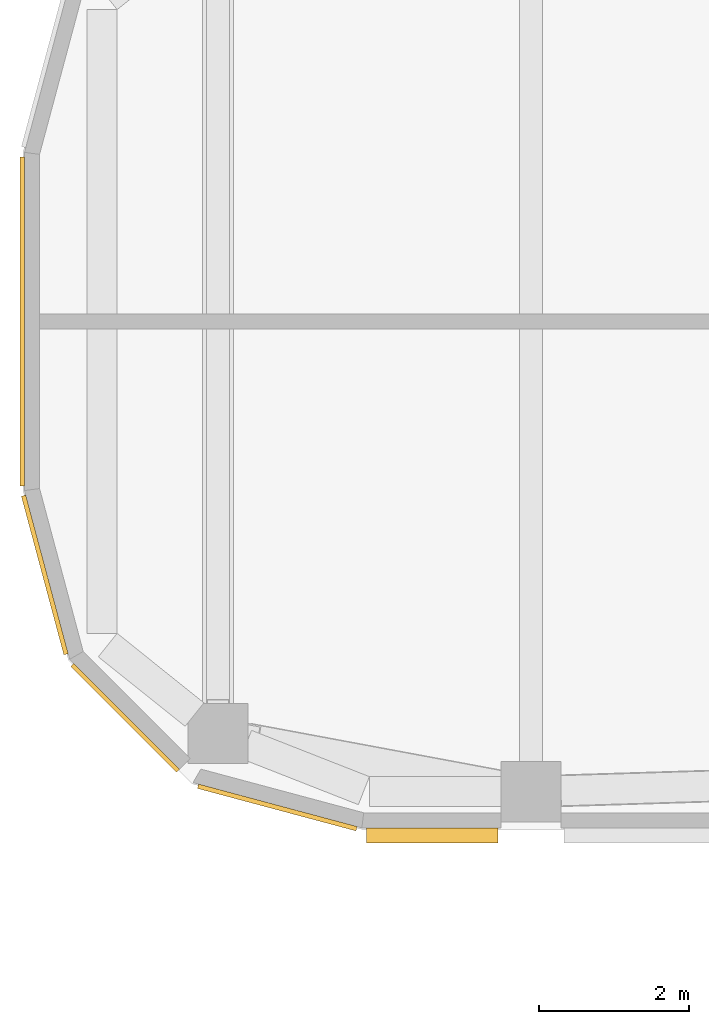
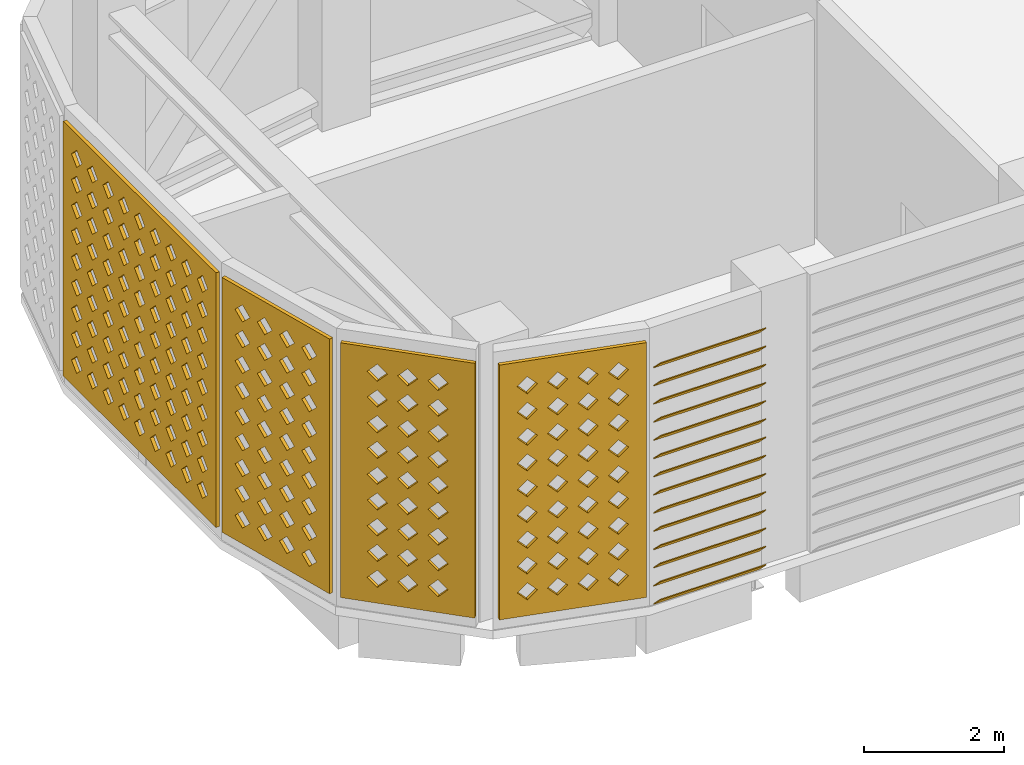
# One storey, part 11 of 21: 4 coverings, 1 shading device.
"""IFC4 building model written with IfcOpenShell, lengths in metres."""

from ifc_helpers import new_model, si_unit, direction, frame, origin, place, context, subcontext, project, spatial, polyline, outline, extrude, source, transform, mapped, material, layer, layer_set, type_object, element, save


model = new_model("IFC4")

# Units and contexts
model_context = context("Model", 3, precision=1e-05, world=origin(), true_north=direction((0.0, 1.0)))
body_context = subcontext(model_context, "Body", "Model", "MODEL_VIEW")
ifc_project = project(units=[si_unit("LENGTHUNIT", "METRE"), si_unit("AREAUNIT", "SQUARE_METRE"), si_unit("VOLUMEUNIT", "CUBIC_METRE"), si_unit("PLANEANGLEUNIT", "RADIAN"), si_unit("MASSUNIT", "GRAM", prefix="KILO")], contexts=[model_context])

# Site, building, storey
site_placement = place(None, origin())
site = spatial("IfcSite", under=ifc_project, at=site_placement, CompositionType="ELEMENT")
building_placement = place(site_placement, origin())
building = spatial("IfcBuilding", under=site, at=building_placement, Name="Zarbagh Exchange Tower", CompositionType="ELEMENT")
storey_placement = place(building_placement, frame((0.0, 0.0, 190.39990234375)))
storey = spatial("IfcBuildingStorey", under=building, at=storey_placement, Name="L46", CompositionType="ELEMENT", Elevation=190.39990234375)

# Coverings
ifc_material_1 = material(Name="Glass-fibre reinforced concrete GFRC C50/60", Category="concrete")
ifc_layer = layer(ifc_material_1, 0.06005859375)
ifc_layer_set = layer_set([ifc_layer], Name="SCREEN jali panel, GFRC")
covering_type = type_object("IfcCoveringType", Name="SCREEN jali panel, GFRC", PredefinedType="CLADDING", material=ifc_layer_set)
shared_shape_1 = source(origin(), body_context, "Body", "SweptSolid", [
    extrude(outline(polyline([(0.0, 0.0), (2.181396484375, 0.0), (2.181396484375, 4.449951171875), (0.0, 4.449951171875), (0.0, 0.0)]), holes=[polyline([(0.265625, 0.425048828125), (0.415771484375, 0.27490234375), (0.565673828125, 0.425048828125), (0.415771484375, 0.574951171875), (0.265625, 0.425048828125)]), polyline([(0.265625, 0.875), (0.415771484375, 0.72509765625), (0.565673828125, 0.875), (0.415771484375, 1.02490234375), (0.265625, 0.875)]), polyline([(0.265625, 1.324951171875), (0.415771484375, 1.175048828125), (0.565673828125, 1.324951171875), (0.415771484375, 1.47509765625), (0.265625, 1.324951171875)]), polyline([(0.265625, 1.77490234375), (0.415771484375, 1.625), (0.565673828125, 1.77490234375), (0.415771484375, 1.925048828125), (0.265625, 1.77490234375)]), polyline([(0.265625, 2.22509765625), (0.415771484375, 2.074951171875), (0.565673828125, 2.22509765625), (0.415771484375, 2.375), (0.265625, 2.22509765625)]), polyline([(0.265625, 2.675048828125), (0.415771484375, 2.52490234375), (0.565673828125, 2.675048828125), (0.415771484375, 2.824951171875), (0.265625, 2.675048828125)]), polyline([(0.265625, 3.125), (0.415771484375, 2.97509765625), (0.565673828125, 3.125), (0.415771484375, 3.27490234375), (0.265625, 3.125)]), polyline([(0.265625, 3.574951171875), (0.415771484375, 3.425048828125), (0.565673828125, 3.574951171875), (0.415771484375, 3.72509765625), (0.265625, 3.574951171875)]), polyline([(0.265625, 4.02490234375), (0.415771484375, 3.875), (0.565673828125, 4.02490234375), (0.415771484375, 4.175048828125), (0.265625, 4.02490234375)]), polyline([(0.7158203125, 0.425048828125), (0.86572265625, 0.27490234375), (1.015625, 0.425048828125), (0.86572265625, 0.574951171875), (0.7158203125, 0.425048828125)]), polyline([(0.7158203125, 0.875), (0.86572265625, 0.72509765625), (1.015625, 0.875), (0.86572265625, 1.02490234375), (0.7158203125, 0.875)]), polyline([(0.7158203125, 1.324951171875), (0.86572265625, 1.175048828125), (1.015625, 1.324951171875), (0.86572265625, 1.47509765625), (0.7158203125, 1.324951171875)]), polyline([(0.7158203125, 1.77490234375), (0.86572265625, 1.625), (1.015625, 1.77490234375), (0.86572265625, 1.925048828125), (0.7158203125, 1.77490234375)]), polyline([(0.7158203125, 2.22509765625), (0.86572265625, 2.074951171875), (1.015625, 2.22509765625), (0.86572265625, 2.375), (0.7158203125, 2.22509765625)]), polyline([(0.7158203125, 2.675048828125), (0.86572265625, 2.52490234375), (1.015625, 2.675048828125), (0.86572265625, 2.824951171875), (0.7158203125, 2.675048828125)]), polyline([(0.7158203125, 3.125), (0.86572265625, 2.97509765625), (1.015625, 3.125), (0.86572265625, 3.27490234375), (0.7158203125, 3.125)]), polyline([(0.7158203125, 3.574951171875), (0.86572265625, 3.425048828125), (1.015625, 3.574951171875), (0.86572265625, 3.72509765625), (0.7158203125, 3.574951171875)]), polyline([(0.7158203125, 4.02490234375), (0.86572265625, 3.875), (1.015625, 4.02490234375), (0.86572265625, 4.175048828125), (0.7158203125, 4.02490234375)]), polyline([(1.165771484375, 0.425048828125), (1.315673828125, 0.27490234375), (1.4658203125, 0.425048828125), (1.315673828125, 0.574951171875), (1.165771484375, 0.425048828125)]), polyline([(1.165771484375, 0.875), (1.315673828125, 0.72509765625), (1.4658203125, 0.875), (1.315673828125, 1.02490234375), (1.165771484375, 0.875)]), polyline([(1.165771484375, 1.324951171875), (1.315673828125, 1.175048828125), (1.4658203125, 1.324951171875), (1.315673828125, 1.47509765625), (1.165771484375, 1.324951171875)]), polyline([(1.165771484375, 1.77490234375), (1.315673828125, 1.625), (1.4658203125, 1.77490234375), (1.315673828125, 1.925048828125), (1.165771484375, 1.77490234375)]), polyline([(1.165771484375, 2.22509765625), (1.315673828125, 2.074951171875), (1.4658203125, 2.22509765625), (1.315673828125, 2.375), (1.165771484375, 2.22509765625)]), polyline([(1.165771484375, 2.675048828125), (1.315673828125, 2.52490234375), (1.4658203125, 2.675048828125), (1.315673828125, 2.824951171875), (1.165771484375, 2.675048828125)]), polyline([(1.165771484375, 3.125), (1.315673828125, 2.97509765625), (1.4658203125, 3.125), (1.315673828125, 3.27490234375), (1.165771484375, 3.125)]), polyline([(1.165771484375, 3.574951171875), (1.315673828125, 3.425048828125), (1.4658203125, 3.574951171875), (1.315673828125, 3.72509765625), (1.165771484375, 3.574951171875)]), polyline([(1.165771484375, 4.02490234375), (1.315673828125, 3.875), (1.4658203125, 4.02490234375), (1.315673828125, 4.175048828125), (1.165771484375, 4.02490234375)]), polyline([(1.61572265625, 0.425048828125), (1.765625, 0.27490234375), (1.915771484375, 0.425048828125), (1.765625, 0.574951171875), (1.61572265625, 0.425048828125)]), polyline([(1.61572265625, 0.875), (1.765625, 0.72509765625), (1.915771484375, 0.875), (1.765625, 1.02490234375), (1.61572265625, 0.875)]), polyline([(1.61572265625, 1.324951171875), (1.765625, 1.175048828125), (1.915771484375, 1.324951171875), (1.765625, 1.47509765625), (1.61572265625, 1.324951171875)]), polyline([(1.61572265625, 1.77490234375), (1.765625, 1.625), (1.915771484375, 1.77490234375), (1.765625, 1.925048828125), (1.61572265625, 1.77490234375)]), polyline([(1.61572265625, 2.22509765625), (1.765625, 2.074951171875), (1.915771484375, 2.22509765625), (1.765625, 2.375), (1.61572265625, 2.22509765625)]), polyline([(1.61572265625, 2.675048828125), (1.765625, 2.52490234375), (1.915771484375, 2.675048828125), (1.765625, 2.824951171875), (1.61572265625, 2.675048828125)]), polyline([(1.61572265625, 3.125), (1.765625, 2.97509765625), (1.915771484375, 3.125), (1.765625, 3.27490234375), (1.61572265625, 3.125)]), polyline([(1.61572265625, 3.574951171875), (1.765625, 3.425048828125), (1.915771484375, 3.574951171875), (1.765625, 3.72509765625), (1.61572265625, 3.574951171875)]), polyline([(1.61572265625, 4.02490234375), (1.765625, 3.875), (1.915771484375, 4.02490234375), (1.765625, 4.175048828125), (1.61572265625, 4.02490234375)])]), origin(), (0.0, 0.0, 1.0), 0.06005859375),
])
placement = place(storey_placement, origin())
element("IfcCovering", 1, at=placement, inside=storey, type_object=covering_type, Name="JS62 jali screen", PredefinedType="CLADDING", context=body_context, shape_type="MappedRepresentation", body=[
    mapped(shared_shape_1, transform((-31.463623046875, -2.308349609375, 0.2001953125), x_axis=(0.258825057666, -0.965924215207, 0.0), y_axis=(0.0, 0.0, 1.0), z_axis=(-0.965924215207, -0.258825057666, 0.0))),
])
element("IfcCovering", 2, at=placement, inside=storey, type_object=covering_type, Name="JS64 jali screen", PredefinedType="CLADDING", context=body_context, shape_type="MappedRepresentation", body=[
    mapped(shared_shape_1, transform((-29.16552734375, -6.14892578125, 0.2001953125), x_axis=(0.965924215207, -0.258825057666, 0.0), y_axis=(0.0, 0.0, 1.0), z_axis=(-0.258825057666, -0.965924215207, 0.0))),
])

# Shading device
ifc_material_2 = material(Name="Anodised aluminium", Category="aluminium")
shading_device_type = type_object("IfcShadingDeviceType", Name="LOUVRE plant louvre, fixed blades", PredefinedType="USERDEFINED", material=ifc_material_2)
shared_shape_2 = source(origin(), body_context, "Body", "SweptSolid", [
    extrude(outline(polyline([(0.0, 0.199951171875), (0.199951171875, 0.0), (0.199951171875, -0.02001953125), (0.0, 0.179931640625), (0.0, 0.199951171875)])), origin(), (0.0, 0.0, 1.0), 1.744140625),
])
element("IfcShadingDevice", 3, at=placement, inside=storey, type_object=shading_device_type, Name="LV15 plant louvre", ObjectType="LOUVRE", PredefinedType="USERDEFINED", context=body_context, shape_type="MappedRepresentation", body=[
    mapped(shared_shape_2, transform((-26.93408203125, -6.72998046875, 0.2001953125), x_axis=(0.0, -1.0, 0.0), y_axis=(0.0, 0.0, -1.0), z_axis=(1.0, 0.0, 0.0))),
    mapped(shared_shape_2, transform((-26.93408203125, -6.72998046875, 0.51806640625), x_axis=(0.0, -1.0, 0.0), y_axis=(0.0, 0.0, -1.0), z_axis=(1.0, 0.0, 0.0))),
    mapped(shared_shape_2, transform((-26.93408203125, -6.72998046875, 0.835693359375), x_axis=(0.0, -1.0, 0.0), y_axis=(0.0, 0.0, -1.0), z_axis=(1.0, 0.0, 0.0))),
    mapped(shared_shape_2, transform((-26.93408203125, -6.72998046875, 1.153564453125), x_axis=(0.0, -1.0, 0.0), y_axis=(0.0, 0.0, -1.0), z_axis=(1.0, 0.0, 0.0))),
    mapped(shared_shape_2, transform((-26.93408203125, -6.72998046875, 1.471435546875), x_axis=(0.0, -1.0, 0.0), y_axis=(0.0, 0.0, -1.0), z_axis=(1.0, 0.0, 0.0))),
    mapped(shared_shape_2, transform((-26.93408203125, -6.72998046875, 1.789306640625), x_axis=(0.0, -1.0, 0.0), y_axis=(0.0, 0.0, -1.0), z_axis=(1.0, 0.0, 0.0))),
    mapped(shared_shape_2, transform((-26.93408203125, -6.72998046875, 2.107177734375), x_axis=(0.0, -1.0, 0.0), y_axis=(0.0, 0.0, -1.0), z_axis=(1.0, 0.0, 0.0))),
    mapped(shared_shape_2, transform((-26.93408203125, -6.72998046875, 2.425048828125), x_axis=(0.0, -1.0, 0.0), y_axis=(0.0, 0.0, -1.0), z_axis=(1.0, 0.0, 0.0))),
    mapped(shared_shape_2, transform((-26.93408203125, -6.72998046875, 2.742919921875), x_axis=(0.0, -1.0, 0.0), y_axis=(0.0, 0.0, -1.0), z_axis=(1.0, 0.0, 0.0))),
    mapped(shared_shape_2, transform((-26.93408203125, -6.72998046875, 3.060791015625), x_axis=(0.0, -1.0, 0.0), y_axis=(0.0, 0.0, -1.0), z_axis=(1.0, 0.0, 0.0))),
    mapped(shared_shape_2, transform((-26.93408203125, -6.72998046875, 3.378662109375), x_axis=(0.0, -1.0, 0.0), y_axis=(0.0, 0.0, -1.0), z_axis=(1.0, 0.0, 0.0))),
    mapped(shared_shape_2, transform((-26.93408203125, -6.72998046875, 3.696533203125), x_axis=(0.0, -1.0, 0.0), y_axis=(0.0, 0.0, -1.0), z_axis=(1.0, 0.0, 0.0))),
    mapped(shared_shape_2, transform((-26.93408203125, -6.72998046875, 4.014404296875), x_axis=(0.0, -1.0, 0.0), y_axis=(0.0, 0.0, -1.0), z_axis=(1.0, 0.0, 0.0))),
    mapped(shared_shape_2, transform((-26.93408203125, -6.72998046875, 4.332275390625), x_axis=(0.0, -1.0, 0.0), y_axis=(0.0, 0.0, -1.0), z_axis=(1.0, 0.0, 0.0))),
])

# Coverings
shared_shape_3 = source(origin(), body_context, "Body", "SweptSolid", [
    extrude(outline(polyline([(0.0, 0.0), (4.368408203125, 0.0), (4.368408203125, 4.449951171875), (0.0, 4.449951171875), (0.0, 0.0)]), holes=[polyline([(0.234130859375, 0.425048828125), (0.38427734375, 0.27490234375), (0.5341796875, 0.425048828125), (0.38427734375, 0.574951171875), (0.234130859375, 0.425048828125)]), polyline([(0.234130859375, 0.875), (0.38427734375, 0.72509765625), (0.5341796875, 0.875), (0.38427734375, 1.02490234375), (0.234130859375, 0.875)]), polyline([(0.234130859375, 1.324951171875), (0.38427734375, 1.175048828125), (0.5341796875, 1.324951171875), (0.38427734375, 1.47509765625), (0.234130859375, 1.324951171875)]), polyline([(0.234130859375, 1.77490234375), (0.38427734375, 1.625), (0.5341796875, 1.77490234375), (0.38427734375, 1.925048828125), (0.234130859375, 1.77490234375)]), polyline([(0.234130859375, 2.22509765625), (0.38427734375, 2.074951171875), (0.5341796875, 2.22509765625), (0.38427734375, 2.375), (0.234130859375, 2.22509765625)]), polyline([(0.234130859375, 2.675048828125), (0.38427734375, 2.52490234375), (0.5341796875, 2.675048828125), (0.38427734375, 2.824951171875), (0.234130859375, 2.675048828125)]), polyline([(0.234130859375, 3.125), (0.38427734375, 2.97509765625), (0.5341796875, 3.125), (0.38427734375, 3.27490234375), (0.234130859375, 3.125)]), polyline([(0.234130859375, 3.574951171875), (0.38427734375, 3.425048828125), (0.5341796875, 3.574951171875), (0.38427734375, 3.72509765625), (0.234130859375, 3.574951171875)]), polyline([(0.234130859375, 4.02490234375), (0.38427734375, 3.875), (0.5341796875, 4.02490234375), (0.38427734375, 4.175048828125), (0.234130859375, 4.02490234375)]), polyline([(0.68408203125, 0.425048828125), (0.834228515625, 0.27490234375), (0.984130859375, 0.425048828125), (0.834228515625, 0.574951171875), (0.68408203125, 0.425048828125)]), polyline([(0.68408203125, 0.875), (0.834228515625, 0.72509765625), (0.984130859375, 0.875), (0.834228515625, 1.02490234375), (0.68408203125, 0.875)]), polyline([(0.68408203125, 1.324951171875), (0.834228515625, 1.175048828125), (0.984130859375, 1.324951171875), (0.834228515625, 1.47509765625), (0.68408203125, 1.324951171875)]), polyline([(0.68408203125, 1.77490234375), (0.834228515625, 1.625), (0.984130859375, 1.77490234375), (0.834228515625, 1.925048828125), (0.68408203125, 1.77490234375)]), polyline([(0.68408203125, 2.22509765625), (0.834228515625, 2.074951171875), (0.984130859375, 2.22509765625), (0.834228515625, 2.375), (0.68408203125, 2.22509765625)]), polyline([(0.68408203125, 2.675048828125), (0.834228515625, 2.52490234375), (0.984130859375, 2.675048828125), (0.834228515625, 2.824951171875), (0.68408203125, 2.675048828125)]), polyline([(0.68408203125, 3.125), (0.834228515625, 2.97509765625), (0.984130859375, 3.125), (0.834228515625, 3.27490234375), (0.68408203125, 3.125)]), polyline([(0.68408203125, 3.574951171875), (0.834228515625, 3.425048828125), (0.984130859375, 3.574951171875), (0.834228515625, 3.72509765625), (0.68408203125, 3.574951171875)]), polyline([(0.68408203125, 4.02490234375), (0.834228515625, 3.875), (0.984130859375, 4.02490234375), (0.834228515625, 4.175048828125), (0.68408203125, 4.02490234375)]), polyline([(1.13427734375, 0.425048828125), (1.2841796875, 0.27490234375), (1.43408203125, 0.425048828125), (1.2841796875, 0.574951171875), (1.13427734375, 0.425048828125)]), polyline([(1.13427734375, 0.875), (1.2841796875, 0.72509765625), (1.43408203125, 0.875), (1.2841796875, 1.02490234375), (1.13427734375, 0.875)]), polyline([(1.13427734375, 1.324951171875), (1.2841796875, 1.175048828125), (1.43408203125, 1.324951171875), (1.2841796875, 1.47509765625), (1.13427734375, 1.324951171875)]), polyline([(1.13427734375, 1.77490234375), (1.2841796875, 1.625), (1.43408203125, 1.77490234375), (1.2841796875, 1.925048828125), (1.13427734375, 1.77490234375)]), polyline([(1.13427734375, 2.22509765625), (1.2841796875, 2.074951171875), (1.43408203125, 2.22509765625), (1.2841796875, 2.375), (1.13427734375, 2.22509765625)]), polyline([(1.13427734375, 2.675048828125), (1.2841796875, 2.52490234375), (1.43408203125, 2.675048828125), (1.2841796875, 2.824951171875), (1.13427734375, 2.675048828125)]), polyline([(1.13427734375, 3.125), (1.2841796875, 2.97509765625), (1.43408203125, 3.125), (1.2841796875, 3.27490234375), (1.13427734375, 3.125)]), polyline([(1.13427734375, 3.574951171875), (1.2841796875, 3.425048828125), (1.43408203125, 3.574951171875), (1.2841796875, 3.72509765625), (1.13427734375, 3.574951171875)]), polyline([(1.13427734375, 4.02490234375), (1.2841796875, 3.875), (1.43408203125, 4.02490234375), (1.2841796875, 4.175048828125), (1.13427734375, 4.02490234375)]), polyline([(1.584228515625, 0.425048828125), (1.734130859375, 0.27490234375), (1.88427734375, 0.425048828125), (1.734130859375, 0.574951171875), (1.584228515625, 0.425048828125)]), polyline([(1.584228515625, 0.875), (1.734130859375, 0.72509765625), (1.88427734375, 0.875), (1.734130859375, 1.02490234375), (1.584228515625, 0.875)]), polyline([(1.584228515625, 1.324951171875), (1.734130859375, 1.175048828125), (1.88427734375, 1.324951171875), (1.734130859375, 1.47509765625), (1.584228515625, 1.324951171875)]), polyline([(1.584228515625, 1.77490234375), (1.734130859375, 1.625), (1.88427734375, 1.77490234375), (1.734130859375, 1.925048828125), (1.584228515625, 1.77490234375)]), polyline([(1.584228515625, 2.22509765625), (1.734130859375, 2.074951171875), (1.88427734375, 2.22509765625), (1.734130859375, 2.375), (1.584228515625, 2.22509765625)]), polyline([(1.584228515625, 2.675048828125), (1.734130859375, 2.52490234375), (1.88427734375, 2.675048828125), (1.734130859375, 2.824951171875), (1.584228515625, 2.675048828125)]), polyline([(1.584228515625, 3.125), (1.734130859375, 2.97509765625), (1.88427734375, 3.125), (1.734130859375, 3.27490234375), (1.584228515625, 3.125)]), polyline([(1.584228515625, 3.574951171875), (1.734130859375, 3.425048828125), (1.88427734375, 3.574951171875), (1.734130859375, 3.72509765625), (1.584228515625, 3.574951171875)]), polyline([(1.584228515625, 4.02490234375), (1.734130859375, 3.875), (1.88427734375, 4.02490234375), (1.734130859375, 4.175048828125), (1.584228515625, 4.02490234375)]), polyline([(2.0341796875, 0.425048828125), (2.18408203125, 0.27490234375), (2.334228515625, 0.425048828125), (2.18408203125, 0.574951171875), (2.0341796875, 0.425048828125)]), polyline([(2.0341796875, 0.875), (2.18408203125, 0.72509765625), (2.334228515625, 0.875), (2.18408203125, 1.02490234375), (2.0341796875, 0.875)]), polyline([(2.0341796875, 1.324951171875), (2.18408203125, 1.175048828125), (2.334228515625, 1.324951171875), (2.18408203125, 1.47509765625), (2.0341796875, 1.324951171875)]), polyline([(2.0341796875, 1.77490234375), (2.18408203125, 1.625), (2.334228515625, 1.77490234375), (2.18408203125, 1.925048828125), (2.0341796875, 1.77490234375)]), polyline([(2.0341796875, 2.22509765625), (2.18408203125, 2.074951171875), (2.334228515625, 2.22509765625), (2.18408203125, 2.375), (2.0341796875, 2.22509765625)]), polyline([(2.0341796875, 2.675048828125), (2.18408203125, 2.52490234375), (2.334228515625, 2.675048828125), (2.18408203125, 2.824951171875), (2.0341796875, 2.675048828125)]), polyline([(2.0341796875, 3.125), (2.18408203125, 2.97509765625), (2.334228515625, 3.125), (2.18408203125, 3.27490234375), (2.0341796875, 3.125)]), polyline([(2.0341796875, 3.574951171875), (2.18408203125, 3.425048828125), (2.334228515625, 3.574951171875), (2.18408203125, 3.72509765625), (2.0341796875, 3.574951171875)]), polyline([(2.0341796875, 4.02490234375), (2.18408203125, 3.875), (2.334228515625, 4.02490234375), (2.18408203125, 4.175048828125), (2.0341796875, 4.02490234375)]), polyline([(2.484130859375, 0.425048828125), (2.63427734375, 0.27490234375), (2.7841796875, 0.425048828125), (2.63427734375, 0.574951171875), (2.484130859375, 0.425048828125)]), polyline([(2.484130859375, 0.875), (2.63427734375, 0.72509765625), (2.7841796875, 0.875), (2.63427734375, 1.02490234375), (2.484130859375, 0.875)]), polyline([(2.484130859375, 1.324951171875), (2.63427734375, 1.175048828125), (2.7841796875, 1.324951171875), (2.63427734375, 1.47509765625), (2.484130859375, 1.324951171875)]), polyline([(2.484130859375, 1.77490234375), (2.63427734375, 1.625), (2.7841796875, 1.77490234375), (2.63427734375, 1.925048828125), (2.484130859375, 1.77490234375)]), polyline([(2.484130859375, 2.22509765625), (2.63427734375, 2.074951171875), (2.7841796875, 2.22509765625), (2.63427734375, 2.375), (2.484130859375, 2.22509765625)]), polyline([(2.484130859375, 2.675048828125), (2.63427734375, 2.52490234375), (2.7841796875, 2.675048828125), (2.63427734375, 2.824951171875), (2.484130859375, 2.675048828125)]), polyline([(2.484130859375, 3.125), (2.63427734375, 2.97509765625), (2.7841796875, 3.125), (2.63427734375, 3.27490234375), (2.484130859375, 3.125)]), polyline([(2.484130859375, 3.574951171875), (2.63427734375, 3.425048828125), (2.7841796875, 3.574951171875), (2.63427734375, 3.72509765625), (2.484130859375, 3.574951171875)]), polyline([(2.484130859375, 4.02490234375), (2.63427734375, 3.875), (2.7841796875, 4.02490234375), (2.63427734375, 4.175048828125), (2.484130859375, 4.02490234375)]), polyline([(2.93408203125, 0.425048828125), (3.084228515625, 0.27490234375), (3.234130859375, 0.425048828125), (3.084228515625, 0.574951171875), (2.93408203125, 0.425048828125)]), polyline([(2.93408203125, 0.875), (3.084228515625, 0.72509765625), (3.234130859375, 0.875), (3.084228515625, 1.02490234375), (2.93408203125, 0.875)]), polyline([(2.93408203125, 1.324951171875), (3.084228515625, 1.175048828125), (3.234130859375, 1.324951171875), (3.084228515625, 1.47509765625), (2.93408203125, 1.324951171875)]), polyline([(2.93408203125, 1.77490234375), (3.084228515625, 1.625), (3.234130859375, 1.77490234375), (3.084228515625, 1.925048828125), (2.93408203125, 1.77490234375)]), polyline([(2.93408203125, 2.22509765625), (3.084228515625, 2.074951171875), (3.234130859375, 2.22509765625), (3.084228515625, 2.375), (2.93408203125, 2.22509765625)]), polyline([(2.93408203125, 2.675048828125), (3.084228515625, 2.52490234375), (3.234130859375, 2.675048828125), (3.084228515625, 2.824951171875), (2.93408203125, 2.675048828125)]), polyline([(2.93408203125, 3.125), (3.084228515625, 2.97509765625), (3.234130859375, 3.125), (3.084228515625, 3.27490234375), (2.93408203125, 3.125)]), polyline([(2.93408203125, 3.574951171875), (3.084228515625, 3.425048828125), (3.234130859375, 3.574951171875), (3.084228515625, 3.72509765625), (2.93408203125, 3.574951171875)]), polyline([(2.93408203125, 4.02490234375), (3.084228515625, 3.875), (3.234130859375, 4.02490234375), (3.084228515625, 4.175048828125), (2.93408203125, 4.02490234375)]), polyline([(3.38427734375, 0.425048828125), (3.5341796875, 0.27490234375), (3.68408203125, 0.425048828125), (3.5341796875, 0.574951171875), (3.38427734375, 0.425048828125)]), polyline([(3.38427734375, 0.875), (3.5341796875, 0.72509765625), (3.68408203125, 0.875), (3.5341796875, 1.02490234375), (3.38427734375, 0.875)]), polyline([(3.38427734375, 1.324951171875), (3.5341796875, 1.175048828125), (3.68408203125, 1.324951171875), (3.5341796875, 1.47509765625), (3.38427734375, 1.324951171875)]), polyline([(3.38427734375, 1.77490234375), (3.5341796875, 1.625), (3.68408203125, 1.77490234375), (3.5341796875, 1.925048828125), (3.38427734375, 1.77490234375)]), polyline([(3.38427734375, 2.22509765625), (3.5341796875, 2.074951171875), (3.68408203125, 2.22509765625), (3.5341796875, 2.375), (3.38427734375, 2.22509765625)]), polyline([(3.38427734375, 2.675048828125), (3.5341796875, 2.52490234375), (3.68408203125, 2.675048828125), (3.5341796875, 2.824951171875), (3.38427734375, 2.675048828125)]), polyline([(3.38427734375, 3.125), (3.5341796875, 2.97509765625), (3.68408203125, 3.125), (3.5341796875, 3.27490234375), (3.38427734375, 3.125)]), polyline([(3.38427734375, 3.574951171875), (3.5341796875, 3.425048828125), (3.68408203125, 3.574951171875), (3.5341796875, 3.72509765625), (3.38427734375, 3.574951171875)]), polyline([(3.38427734375, 4.02490234375), (3.5341796875, 3.875), (3.68408203125, 4.02490234375), (3.5341796875, 4.175048828125), (3.38427734375, 4.02490234375)]), polyline([(3.834228515625, 0.425048828125), (3.984130859375, 0.27490234375), (4.13427734375, 0.425048828125), (3.984130859375, 0.574951171875), (3.834228515625, 0.425048828125)]), polyline([(3.834228515625, 0.875), (3.984130859375, 0.72509765625), (4.13427734375, 0.875), (3.984130859375, 1.02490234375), (3.834228515625, 0.875)]), polyline([(3.834228515625, 1.324951171875), (3.984130859375, 1.175048828125), (4.13427734375, 1.324951171875), (3.984130859375, 1.47509765625), (3.834228515625, 1.324951171875)]), polyline([(3.834228515625, 1.77490234375), (3.984130859375, 1.625), (4.13427734375, 1.77490234375), (3.984130859375, 1.925048828125), (3.834228515625, 1.77490234375)]), polyline([(3.834228515625, 2.22509765625), (3.984130859375, 2.074951171875), (4.13427734375, 2.22509765625), (3.984130859375, 2.375), (3.834228515625, 2.22509765625)]), polyline([(3.834228515625, 2.675048828125), (3.984130859375, 2.52490234375), (4.13427734375, 2.675048828125), (3.984130859375, 2.824951171875), (3.834228515625, 2.675048828125)]), polyline([(3.834228515625, 3.125), (3.984130859375, 2.97509765625), (4.13427734375, 3.125), (3.984130859375, 3.27490234375), (3.834228515625, 3.125)]), polyline([(3.834228515625, 3.574951171875), (3.984130859375, 3.425048828125), (4.13427734375, 3.574951171875), (3.984130859375, 3.72509765625), (3.834228515625, 3.574951171875)]), polyline([(3.834228515625, 4.02490234375), (3.984130859375, 3.875), (4.13427734375, 4.02490234375), (3.984130859375, 4.175048828125), (3.834228515625, 4.02490234375)])]), origin(), (0.0, 0.0, 1.0), 0.06005859375),
])
element("IfcCovering", 4, at=placement, inside=storey, type_object=covering_type, Name="JS61 jali screen", PredefinedType="CLADDING", context=body_context, shape_type="MappedRepresentation", body=[
    mapped(shared_shape_3, transform((-31.47998046875, 2.18408203125, 0.2001953125), x_axis=(0.0, -1.0, 0.0), y_axis=(0.0, 0.0, 1.0), z_axis=(-1.0, 0.0, 0.0))),
])
shared_shape_4 = source(origin(), body_context, "Body", "SweptSolid", [
    extrude(outline(polyline([(0.0, 0.0), (1.988525390625, 0.0), (1.988525390625, 4.449951171875), (0.0, 4.449951171875), (0.0, 0.0)]), holes=[polyline([(0.394287109375, 0.425048828125), (0.544189453125, 0.27490234375), (0.6943359375, 0.425048828125), (0.544189453125, 0.574951171875), (0.394287109375, 0.425048828125)]), polyline([(0.394287109375, 0.875), (0.544189453125, 0.72509765625), (0.6943359375, 0.875), (0.544189453125, 1.02490234375), (0.394287109375, 0.875)]), polyline([(0.394287109375, 1.324951171875), (0.544189453125, 1.175048828125), (0.6943359375, 1.324951171875), (0.544189453125, 1.47509765625), (0.394287109375, 1.324951171875)]), polyline([(0.394287109375, 1.77490234375), (0.544189453125, 1.625), (0.6943359375, 1.77490234375), (0.544189453125, 1.925048828125), (0.394287109375, 1.77490234375)]), polyline([(0.394287109375, 2.22509765625), (0.544189453125, 2.074951171875), (0.6943359375, 2.22509765625), (0.544189453125, 2.375), (0.394287109375, 2.22509765625)]), polyline([(0.394287109375, 2.675048828125), (0.544189453125, 2.52490234375), (0.6943359375, 2.675048828125), (0.544189453125, 2.824951171875), (0.394287109375, 2.675048828125)]), polyline([(0.394287109375, 3.125), (0.544189453125, 2.97509765625), (0.6943359375, 3.125), (0.544189453125, 3.27490234375), (0.394287109375, 3.125)]), polyline([(0.394287109375, 3.574951171875), (0.544189453125, 3.425048828125), (0.6943359375, 3.574951171875), (0.544189453125, 3.72509765625), (0.394287109375, 3.574951171875)]), polyline([(0.394287109375, 4.02490234375), (0.544189453125, 3.875), (0.6943359375, 4.02490234375), (0.544189453125, 4.175048828125), (0.394287109375, 4.02490234375)]), polyline([(0.84423828125, 0.425048828125), (0.994384765625, 0.27490234375), (1.144287109375, 0.425048828125), (0.994384765625, 0.574951171875), (0.84423828125, 0.425048828125)]), polyline([(0.84423828125, 0.875), (0.994384765625, 0.72509765625), (1.144287109375, 0.875), (0.994384765625, 1.02490234375), (0.84423828125, 0.875)]), polyline([(0.84423828125, 1.324951171875), (0.994384765625, 1.175048828125), (1.144287109375, 1.324951171875), (0.994384765625, 1.47509765625), (0.84423828125, 1.324951171875)]), polyline([(0.84423828125, 1.77490234375), (0.994384765625, 1.625), (1.144287109375, 1.77490234375), (0.994384765625, 1.925048828125), (0.84423828125, 1.77490234375)]), polyline([(0.84423828125, 2.22509765625), (0.994384765625, 2.074951171875), (1.144287109375, 2.22509765625), (0.994384765625, 2.375), (0.84423828125, 2.22509765625)]), polyline([(0.84423828125, 2.675048828125), (0.994384765625, 2.52490234375), (1.144287109375, 2.675048828125), (0.994384765625, 2.824951171875), (0.84423828125, 2.675048828125)]), polyline([(0.84423828125, 3.125), (0.994384765625, 2.97509765625), (1.144287109375, 3.125), (0.994384765625, 3.27490234375), (0.84423828125, 3.125)]), polyline([(0.84423828125, 3.574951171875), (0.994384765625, 3.425048828125), (1.144287109375, 3.574951171875), (0.994384765625, 3.72509765625), (0.84423828125, 3.574951171875)]), polyline([(0.84423828125, 4.02490234375), (0.994384765625, 3.875), (1.144287109375, 4.02490234375), (0.994384765625, 4.175048828125), (0.84423828125, 4.02490234375)]), polyline([(1.294189453125, 0.425048828125), (1.4443359375, 0.27490234375), (1.59423828125, 0.425048828125), (1.4443359375, 0.574951171875), (1.294189453125, 0.425048828125)]), polyline([(1.294189453125, 0.875), (1.4443359375, 0.72509765625), (1.59423828125, 0.875), (1.4443359375, 1.02490234375), (1.294189453125, 0.875)]), polyline([(1.294189453125, 1.324951171875), (1.4443359375, 1.175048828125), (1.59423828125, 1.324951171875), (1.4443359375, 1.47509765625), (1.294189453125, 1.324951171875)]), polyline([(1.294189453125, 1.77490234375), (1.4443359375, 1.625), (1.59423828125, 1.77490234375), (1.4443359375, 1.925048828125), (1.294189453125, 1.77490234375)]), polyline([(1.294189453125, 2.22509765625), (1.4443359375, 2.074951171875), (1.59423828125, 2.22509765625), (1.4443359375, 2.375), (1.294189453125, 2.22509765625)]), polyline([(1.294189453125, 2.675048828125), (1.4443359375, 2.52490234375), (1.59423828125, 2.675048828125), (1.4443359375, 2.824951171875), (1.294189453125, 2.675048828125)]), polyline([(1.294189453125, 3.125), (1.4443359375, 2.97509765625), (1.59423828125, 3.125), (1.4443359375, 3.27490234375), (1.294189453125, 3.125)]), polyline([(1.294189453125, 3.574951171875), (1.4443359375, 3.425048828125), (1.59423828125, 3.574951171875), (1.4443359375, 3.72509765625), (1.294189453125, 3.574951171875)]), polyline([(1.294189453125, 4.02490234375), (1.4443359375, 3.875), (1.59423828125, 4.02490234375), (1.4443359375, 4.175048828125), (1.294189453125, 4.02490234375)])]), origin(), (0.0, 0.0, 1.0), 0.06005859375),
])
element("IfcCovering", 5, at=placement, inside=storey, type_object=covering_type, Name="JS63 jali screen", PredefinedType="CLADDING", context=body_context, shape_type="MappedRepresentation", body=[
    mapped(shared_shape_4, transform((-30.824951171875, -4.5439453125, 0.2001953125), x_axis=(0.707106781187, -0.707106781187, 0.0), y_axis=(0.0, 0.0, 1.0), z_axis=(-0.707106781187, -0.707106781187, 0.0))),
])

save(model, "model.ifc")
